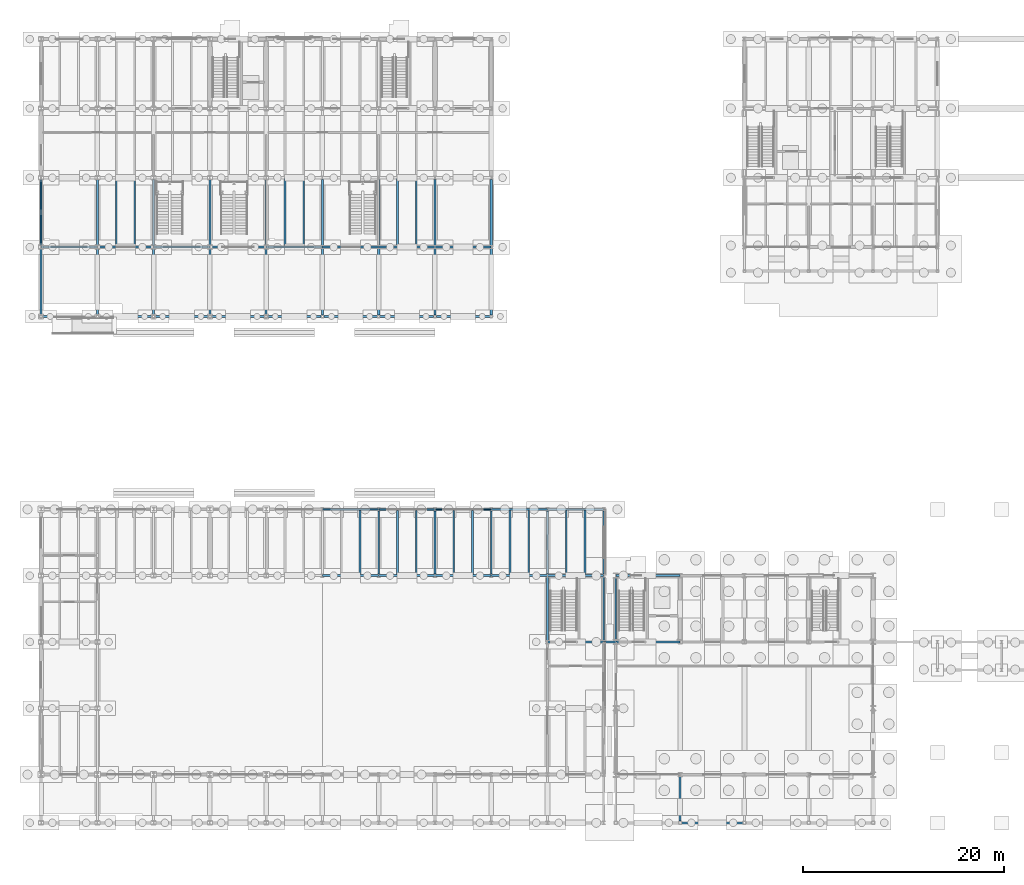
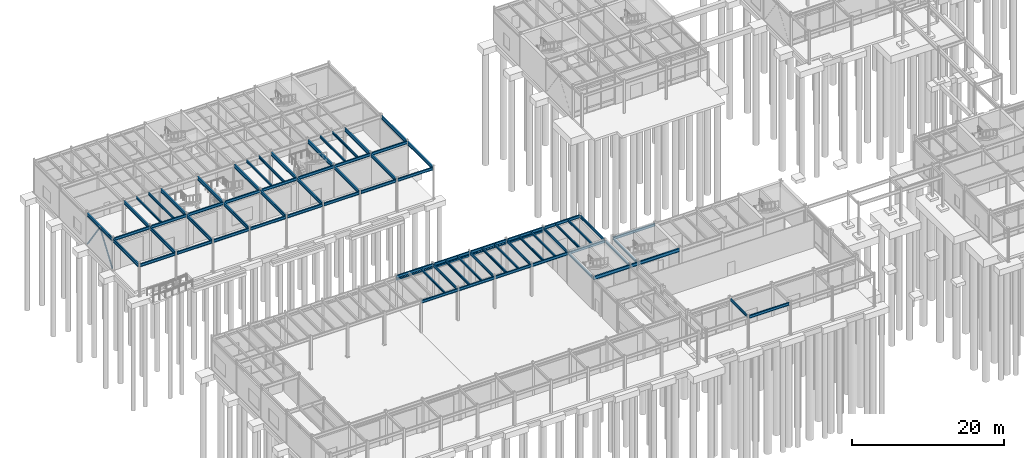
# One storey, part 32 of 82: 77 beams, 2 members.
"""IFC4 building model written with IfcOpenShell, lengths in metres."""

from ifc_helpers import new_model, si_unit, direction, frame, origin, origin_2d, place, context, subcontext, project, spatial, hollow_rectangle, hollow_circle, i_section, extrude, material, material_profile, profile_set, type_object, element, save


model = new_model("IFC4")

# Units and contexts
model_context = context("Model", 3, precision=1e-05, world=origin(), true_north=direction((0.0, 1.0)))
body_context = subcontext(model_context, "Body", "Model", "MODEL_VIEW")
ifc_project = project(units=[si_unit("LENGTHUNIT", "METRE"), si_unit("AREAUNIT", "SQUARE_METRE"), si_unit("VOLUMEUNIT", "CUBIC_METRE"), si_unit("PLANEANGLEUNIT", "RADIAN"), si_unit("MASSUNIT", "GRAM", prefix="KILO")], contexts=[model_context])

# Site, building, storey
site_placement = place(None, origin())
site = spatial("IfcSite", under=ifc_project, at=site_placement, CompositionType="ELEMENT")
building_placement = place(site_placement, origin())
building = spatial("IfcBuilding", under=site, at=building_placement, Name="Trelmorton Wharf Fire Station", CompositionType="ELEMENT")
storey_placement = place(building_placement, origin())
storey = spatial("IfcBuildingStorey", under=building, at=storey_placement, Name="L00", CompositionType="ELEMENT", Elevation=0.0)

# Beams
ifc_material_1 = material(Name="Steel Grade 350", Category="steel")
ifc_material_profile_1 = material_profile(ifc_material_1, i_section(OverallWidth=0.177978515625, OverallDepth=0.406005859375, WebThickness=0.0078125, FlangeThickness=0.0126953125, FilletRadius=0.011474609375, at=origin_2d()), Name="410UB59.7")
ifc_profile_set_1 = profile_set([ifc_material_profile_1], Name="Steel Grade 350")
beam_type_1 = type_object("IfcBeamType", Name="BM_410UB60", PredefinedType="BEAM", material=ifc_profile_set_1)
for number, where, z_axis, x_axis, name in (
    (1, (34.39990234375, 27.75341796875, 4.927001953125), (0.0, 1.0, 0.0), (-1.0, 0.0, 0.0), "BM-L00-0253"),
    (2, (40.0, 27.75341796875, 4.927001953125), (0.0, 1.0, 0.0), (-1.0, 0.0, 0.0), "BM-L00-0259"),
    (3, (45.60009765625, 27.75341796875, 4.927001953125), (0.0, 1.0, 0.0), (-1.0, 0.0, 0.0), "BM-L00-0265"),
):
    element("IfcBeam", number, at=place(storey_placement, frame(where, z_axis=z_axis, x_axis=x_axis)), inside=storey, type_object=beam_type_1, Name=name, PredefinedType="BEAM", context=body_context, shape_type="SweptSolid", body=[
        extrude(i_section(OverallWidth=0.177978515625, OverallDepth=0.406005859375, WebThickness=0.0078125, FlangeThickness=0.0126953125, FilletRadius=0.011474609375, at=origin_2d()), origin(), (0.0, 0.0, 1.0), 6.287109375),
    ])
beam_1_placement = place(storey_placement, frame((51.199951171875, 21.153564453125, 4.927001953125), z_axis=(0.0, 1.0, 0.0), x_axis=(-1.0, 0.0, 0.0)))
element("IfcBeam", 4, at=beam_1_placement, inside=storey, type_object=beam_type_1, Name="BM-L00-0273", PredefinedType="BEAM", context=body_context, shape_type="SweptSolid", body=[
    extrude(i_section(OverallWidth=0.177978515625, OverallDepth=0.406005859375, WebThickness=0.0078125, FlangeThickness=0.0126953125, FilletRadius=0.011474609375, at=origin_2d()), origin(), (0.0, 0.0, 1.0), 6.29296875),
])
beam_2_placement = place(storey_placement, frame((51.199951171875, 27.75341796875, 4.927001953125), z_axis=(0.0, 1.0, 0.0), x_axis=(-1.0, 0.0, 0.0)))
element("IfcBeam", 5, at=beam_2_placement, inside=storey, type_object=beam_type_1, Name="BM-L00-0274", PredefinedType="BEAM", context=body_context, shape_type="SweptSolid", body=[
    extrude(i_section(OverallWidth=0.177978515625, OverallDepth=0.406005859375, WebThickness=0.0078125, FlangeThickness=0.0126953125, FilletRadius=0.011474609375, at=origin_2d()), origin(), (0.0, 0.0, 1.0), 6.287109375),
])
beam_3_placement = place(storey_placement, frame((56.800048828125, 21.153564453125, 4.927001953125), z_axis=(0.0, 1.0, 0.0), x_axis=(-1.0, 0.0, 0.0)))
element("IfcBeam", 6, at=beam_3_placement, inside=storey, type_object=beam_type_1, Name="BM-L00-0278", PredefinedType="BEAM", context=body_context, shape_type="SweptSolid", body=[
    extrude(i_section(OverallWidth=0.177978515625, OverallDepth=0.406005859375, WebThickness=0.0078125, FlangeThickness=0.0126953125, FilletRadius=0.011474609375, at=origin_2d()), origin(), (0.0, 0.0, 1.0), 6.29296875),
])
beam_4_placement = place(storey_placement, frame((56.800048828125, 27.75341796875, 4.927001953125), z_axis=(0.0, 1.0, 0.0), x_axis=(-1.0, 0.0, 0.0)))
element("IfcBeam", 7, at=beam_4_placement, inside=storey, type_object=beam_type_1, Name="BM-L00-0279", PredefinedType="BEAM", context=body_context, shape_type="SweptSolid", body=[
    extrude(i_section(OverallWidth=0.177978515625, OverallDepth=0.406005859375, WebThickness=0.0078125, FlangeThickness=0.0126953125, FilletRadius=0.011474609375, at=origin_2d()), origin(), (0.0, 0.0, 1.0), 6.287109375),
])
beam_5_placement = place(storey_placement, frame((58.0, 21.24609375, 4.927001953125), z_axis=(0.0, 1.0, 0.0), x_axis=(-1.0, 0.0, 0.0)))
element("IfcBeam", 8, at=beam_5_placement, inside=storey, type_object=beam_type_1, Name="BM-L00-0283", PredefinedType="BEAM", context=body_context, shape_type="SweptSolid", body=[
    extrude(i_section(OverallWidth=0.177978515625, OverallDepth=0.406005859375, WebThickness=0.0078125, FlangeThickness=0.0126953125, FilletRadius=0.011474609375, at=origin_2d()), origin(), (0.0, 0.0, 1.0), 6.10791015625),
])
beam_6_placement = place(storey_placement, frame((64.39990234375, 3.157958984375, 4.927001953125), z_axis=(0.0, 1.0, 0.0), x_axis=(-1.0, 0.0, 0.0)))
element("IfcBeam", 9, at=beam_6_placement, inside=storey, type_object=beam_type_1, Name="BM-L00-0284", PredefinedType="BEAM", context=body_context, shape_type="SweptSolid", body=[
    extrude(i_section(OverallWidth=0.177978515625, OverallDepth=0.406005859375, WebThickness=0.0078125, FlangeThickness=0.0126953125, FilletRadius=0.011474609375, at=origin_2d()), origin(), (0.0, 0.0, 1.0), 4.446044921875),
])
ifc_material_profile_2 = material_profile(ifc_material_1, i_section(OverallWidth=0.208984375, OverallDepth=0.532958984375, WebThickness=0.01025390625, FlangeThickness=0.015625, FilletRadius=0.013916015625, at=origin_2d()), Name="530UB92.4")
ifc_profile_set_2 = profile_set([ifc_material_profile_2], Name="Steel Grade 350")
beam_type_2 = type_object("IfcBeamType", Name="BM_530UB92", PredefinedType="BEAM", material=ifc_profile_set_2)
beam_7_placement = place(storey_placement, frame((51.2041015625, 21.0, 4.863525390625), z_axis=(1.0, 0.0, 0.0), x_axis=(0.0, 1.0, 0.0)))
element("IfcBeam", 10, at=beam_7_placement, inside=storey, type_object=beam_type_2, Name="BM-L00-0061", PredefinedType="BEAM", context=body_context, shape_type="SweptSolid", body=[
    extrude(i_section(OverallWidth=0.208984375, OverallDepth=0.532958984375, WebThickness=0.01025390625, FlangeThickness=0.015625, FilletRadius=0.013916015625, at=origin_2d()), origin(), (0.0, 0.0, 1.0), 5.591796875),
])
beam_8_placement = place(storey_placement, frame((56.803955078125, 21.0, 4.863525390625), z_axis=(1.0, 0.0, 0.0), x_axis=(0.0, 1.0, 0.0)))
element("IfcBeam", 11, at=beam_8_placement, inside=storey, type_object=beam_type_2, Name="BM-L00-0062", PredefinedType="BEAM", context=body_context, shape_type="SweptSolid", body=[
    extrude(i_section(OverallWidth=0.208984375, OverallDepth=0.532958984375, WebThickness=0.01025390625, FlangeThickness=0.015625, FilletRadius=0.013916015625, at=origin_2d()), origin(), (0.0, 0.0, 1.0), 1.18798828125),
])
beam_9_placement = place(storey_placement, frame((58.008056640625, 21.0, 4.863525390625), z_axis=(1.0, 0.0, 0.0), x_axis=(0.0, 1.0, 0.0)))
element("IfcBeam", 12, at=beam_9_placement, inside=storey, type_object=beam_type_2, Name="BM-L00-0063", PredefinedType="BEAM", context=body_context, shape_type="SweptSolid", body=[
    extrude(i_section(OverallWidth=0.208984375, OverallDepth=0.532958984375, WebThickness=0.01025390625, FlangeThickness=0.015625, FilletRadius=0.013916015625, at=origin_2d()), origin(), (0.0, 0.0, 1.0), 6.384033203125),
])
beam_10_placement = place(storey_placement, frame((0.800048828125, 53.53271484375, 4.863525390625), z_axis=(0.0, 1.0, 0.0), x_axis=(-1.0, 0.0, 0.0)))
element("IfcBeam", 13, at=beam_10_placement, inside=storey, type_object=beam_type_2, Name="BM-L00-0215", PredefinedType="BEAM", context=body_context, shape_type="SweptSolid", body=[
    extrude(i_section(OverallWidth=0.208984375, OverallDepth=0.532958984375, WebThickness=0.01025390625, FlangeThickness=0.015625, FilletRadius=0.013916015625, at=origin_2d()), origin(), (0.0, 0.0, 1.0), 6.61376953125),
])
beam_11_placement = place(storey_placement, frame((0.800048828125, 60.45361328125, 4.863525390625), z_axis=(0.0, 1.0, 0.0), x_axis=(-1.0, 0.0, 0.0)))
element("IfcBeam", 14, at=beam_11_placement, inside=storey, type_object=beam_type_2, Name="BM-L00-0216", PredefinedType="BEAM", context=body_context, shape_type="SweptSolid", body=[
    extrude(i_section(OverallWidth=0.208984375, OverallDepth=0.532958984375, WebThickness=0.01025390625, FlangeThickness=0.015625, FilletRadius=0.013916015625, at=origin_2d()), origin(), (0.0, 0.0, 1.0), 6.5927734375),
])
beam_12_placement = place(storey_placement, frame((6.39990234375, 53.53271484375, 4.863525390625), z_axis=(0.0, 1.0, 0.0), x_axis=(-1.0, 0.0, 0.0)))
element("IfcBeam", 15, at=beam_12_placement, inside=storey, type_object=beam_type_2, Name="BM-L00-0224", PredefinedType="BEAM", context=body_context, shape_type="SweptSolid", body=[
    extrude(i_section(OverallWidth=0.208984375, OverallDepth=0.532958984375, WebThickness=0.01025390625, FlangeThickness=0.015625, FilletRadius=0.013916015625, at=origin_2d()), origin(), (0.0, 0.0, 1.0), 6.61376953125),
])
beam_13_placement = place(storey_placement, frame((6.39990234375, 60.45361328125, 4.863525390625), z_axis=(0.0, 1.0, 0.0), x_axis=(-1.0, 0.0, 0.0)))
element("IfcBeam", 16, at=beam_13_placement, inside=storey, type_object=beam_type_2, Name="BM-L00-0225", PredefinedType="BEAM", context=body_context, shape_type="SweptSolid", body=[
    extrude(i_section(OverallWidth=0.208984375, OverallDepth=0.532958984375, WebThickness=0.01025390625, FlangeThickness=0.015625, FilletRadius=0.013916015625, at=origin_2d()), origin(), (0.0, 0.0, 1.0), 6.5927734375),
])
beam_14_placement = place(storey_placement, frame((12.0, 53.53271484375, 4.863525390625), z_axis=(0.0, 1.0, 0.0), x_axis=(-1.0, 0.0, 0.0)))
element("IfcBeam", 17, at=beam_14_placement, inside=storey, type_object=beam_type_2, Name="BM-L00-0230", PredefinedType="BEAM", context=body_context, shape_type="SweptSolid", body=[
    extrude(i_section(OverallWidth=0.208984375, OverallDepth=0.532958984375, WebThickness=0.01025390625, FlangeThickness=0.015625, FilletRadius=0.013916015625, at=origin_2d()), origin(), (0.0, 0.0, 1.0), 6.61376953125),
])
beam_15_placement = place(storey_placement, frame((12.0, 60.45361328125, 4.863525390625), z_axis=(0.0, 1.0, 0.0), x_axis=(-1.0, 0.0, 0.0)))
element("IfcBeam", 18, at=beam_15_placement, inside=storey, type_object=beam_type_2, Name="BM-L00-0231", PredefinedType="BEAM", context=body_context, shape_type="SweptSolid", body=[
    extrude(i_section(OverallWidth=0.208984375, OverallDepth=0.532958984375, WebThickness=0.01025390625, FlangeThickness=0.015625, FilletRadius=0.013916015625, at=origin_2d()), origin(), (0.0, 0.0, 1.0), 6.5927734375),
])
beam_16_placement = place(storey_placement, frame((17.60009765625, 53.53271484375, 4.863525390625), z_axis=(0.0, 1.0, 0.0), x_axis=(-1.0, 0.0, 0.0)))
element("IfcBeam", 19, at=beam_16_placement, inside=storey, type_object=beam_type_2, Name="BM-L00-0236", PredefinedType="BEAM", context=body_context, shape_type="SweptSolid", body=[
    extrude(i_section(OverallWidth=0.208984375, OverallDepth=0.532958984375, WebThickness=0.01025390625, FlangeThickness=0.015625, FilletRadius=0.013916015625, at=origin_2d()), origin(), (0.0, 0.0, 1.0), 6.61376953125),
])
beam_17_placement = place(storey_placement, frame((17.60009765625, 60.45361328125, 4.863525390625), z_axis=(0.0, 1.0, 0.0), x_axis=(-1.0, 0.0, 0.0)))
element("IfcBeam", 20, at=beam_17_placement, inside=storey, type_object=beam_type_2, Name="BM-L00-0237", PredefinedType="BEAM", context=body_context, shape_type="SweptSolid", body=[
    extrude(i_section(OverallWidth=0.208984375, OverallDepth=0.532958984375, WebThickness=0.01025390625, FlangeThickness=0.015625, FilletRadius=0.013916015625, at=origin_2d()), origin(), (0.0, 0.0, 1.0), 6.5927734375),
])
beam_18_placement = place(storey_placement, frame((23.199951171875, 53.53271484375, 4.863525390625), z_axis=(0.0, 1.0, 0.0), x_axis=(-1.0, 0.0, 0.0)))
element("IfcBeam", 21, at=beam_18_placement, inside=storey, type_object=beam_type_2, Name="BM-L00-0242", PredefinedType="BEAM", context=body_context, shape_type="SweptSolid", body=[
    extrude(i_section(OverallWidth=0.208984375, OverallDepth=0.532958984375, WebThickness=0.01025390625, FlangeThickness=0.015625, FilletRadius=0.013916015625, at=origin_2d()), origin(), (0.0, 0.0, 1.0), 6.61376953125),
])
beam_19_placement = place(storey_placement, frame((23.199951171875, 60.45361328125, 4.863525390625), z_axis=(0.0, 1.0, 0.0), x_axis=(-1.0, 0.0, 0.0)))
element("IfcBeam", 22, at=beam_19_placement, inside=storey, type_object=beam_type_2, Name="BM-L00-0243", PredefinedType="BEAM", context=body_context, shape_type="SweptSolid", body=[
    extrude(i_section(OverallWidth=0.208984375, OverallDepth=0.532958984375, WebThickness=0.01025390625, FlangeThickness=0.015625, FilletRadius=0.013916015625, at=origin_2d()), origin(), (0.0, 0.0, 1.0), 6.5927734375),
])
beam_20_placement = place(storey_placement, frame((28.800048828125, 53.53271484375, 4.863525390625), z_axis=(0.0, 1.0, 0.0), x_axis=(-1.0, 0.0, 0.0)))
element("IfcBeam", 23, at=beam_20_placement, inside=storey, type_object=beam_type_2, Name="BM-L00-0248", PredefinedType="BEAM", context=body_context, shape_type="SweptSolid", body=[
    extrude(i_section(OverallWidth=0.208984375, OverallDepth=0.532958984375, WebThickness=0.01025390625, FlangeThickness=0.015625, FilletRadius=0.013916015625, at=origin_2d()), origin(), (0.0, 0.0, 1.0), 6.61376953125),
])
beam_21_placement = place(storey_placement, frame((28.800048828125, 60.45361328125, 4.863525390625), z_axis=(0.0, 1.0, 0.0), x_axis=(-1.0, 0.0, 0.0)))
element("IfcBeam", 24, at=beam_21_placement, inside=storey, type_object=beam_type_2, Name="BM-L00-0249", PredefinedType="BEAM", context=body_context, shape_type="SweptSolid", body=[
    extrude(i_section(OverallWidth=0.208984375, OverallDepth=0.532958984375, WebThickness=0.01025390625, FlangeThickness=0.015625, FilletRadius=0.013916015625, at=origin_2d()), origin(), (0.0, 0.0, 1.0), 6.5927734375),
])
beam_22_placement = place(storey_placement, frame((34.39990234375, 53.53271484375, 4.863525390625), z_axis=(0.0, 1.0, 0.0), x_axis=(-1.0, 0.0, 0.0)))
element("IfcBeam", 25, at=beam_22_placement, inside=storey, type_object=beam_type_2, Name="BM-L00-0254", PredefinedType="BEAM", context=body_context, shape_type="SweptSolid", body=[
    extrude(i_section(OverallWidth=0.208984375, OverallDepth=0.532958984375, WebThickness=0.01025390625, FlangeThickness=0.015625, FilletRadius=0.013916015625, at=origin_2d()), origin(), (0.0, 0.0, 1.0), 6.61376953125),
])
beam_23_placement = place(storey_placement, frame((34.39990234375, 60.45361328125, 4.863525390625), z_axis=(0.0, 1.0, 0.0), x_axis=(-1.0, 0.0, 0.0)))
element("IfcBeam", 26, at=beam_23_placement, inside=storey, type_object=beam_type_2, Name="BM-L00-0255", PredefinedType="BEAM", context=body_context, shape_type="SweptSolid", body=[
    extrude(i_section(OverallWidth=0.208984375, OverallDepth=0.532958984375, WebThickness=0.01025390625, FlangeThickness=0.015625, FilletRadius=0.013916015625, at=origin_2d()), origin(), (0.0, 0.0, 1.0), 6.5927734375),
])
beam_24_placement = place(storey_placement, frame((40.0, 53.53271484375, 4.863525390625), z_axis=(0.0, 1.0, 0.0), x_axis=(-1.0, 0.0, 0.0)))
element("IfcBeam", 27, at=beam_24_placement, inside=storey, type_object=beam_type_2, Name="BM-L00-0260", PredefinedType="BEAM", context=body_context, shape_type="SweptSolid", body=[
    extrude(i_section(OverallWidth=0.208984375, OverallDepth=0.532958984375, WebThickness=0.01025390625, FlangeThickness=0.015625, FilletRadius=0.013916015625, at=origin_2d()), origin(), (0.0, 0.0, 1.0), 6.61376953125),
])
beam_25_placement = place(storey_placement, frame((40.0, 60.45361328125, 4.863525390625), z_axis=(0.0, 1.0, 0.0), x_axis=(-1.0, 0.0, 0.0)))
element("IfcBeam", 28, at=beam_25_placement, inside=storey, type_object=beam_type_2, Name="BM-L00-0261", PredefinedType="BEAM", context=body_context, shape_type="SweptSolid", body=[
    extrude(i_section(OverallWidth=0.208984375, OverallDepth=0.532958984375, WebThickness=0.01025390625, FlangeThickness=0.015625, FilletRadius=0.013916015625, at=origin_2d()), origin(), (0.0, 0.0, 1.0), 6.5927734375),
])
beam_26_placement = place(storey_placement, frame((45.60009765625, 53.53271484375, 4.863525390625), z_axis=(0.0, 1.0, 0.0), x_axis=(-1.0, 0.0, 0.0)))
element("IfcBeam", 29, at=beam_26_placement, inside=storey, type_object=beam_type_2, Name="BM-L00-0266", PredefinedType="BEAM", context=body_context, shape_type="SweptSolid", body=[
    extrude(i_section(OverallWidth=0.208984375, OverallDepth=0.532958984375, WebThickness=0.01025390625, FlangeThickness=0.015625, FilletRadius=0.013916015625, at=origin_2d()), origin(), (0.0, 0.0, 1.0), 6.61376953125),
])
beam_27_placement = place(storey_placement, frame((45.60009765625, 60.45361328125, 4.863525390625), z_axis=(0.0, 1.0, 0.0), x_axis=(-1.0, 0.0, 0.0)))
element("IfcBeam", 30, at=beam_27_placement, inside=storey, type_object=beam_type_2, Name="BM-L00-0267", PredefinedType="BEAM", context=body_context, shape_type="SweptSolid", body=[
    extrude(i_section(OverallWidth=0.208984375, OverallDepth=0.532958984375, WebThickness=0.01025390625, FlangeThickness=0.015625, FilletRadius=0.013916015625, at=origin_2d()), origin(), (0.0, 0.0, 1.0), 6.5927734375),
])
ifc_material_2 = material(Name="Signal-red architectural steel Grade 350", Category="steel")
ifc_material_profile_3 = material_profile(ifc_material_2, i_section(OverallWidth=0.19091796875, OverallDepth=0.4599609375, WebThickness=0.010009765625, FlangeThickness=0.01611328125, FilletRadius=0.011474609375, at=origin_2d()), Name="460UB82.1")
ifc_profile_set_3 = profile_set([ifc_material_profile_3], Name="Signal-red architectural steel Grade 350")
beam_type_3 = type_object("IfcBeamType", Name="BM_RED_460UB82", PredefinedType="BEAM", material=ifc_profile_set_3)
beam_28_placement = place(storey_placement, frame((64.55810546875, 3.0, 4.89990234375), z_axis=(1.0, 0.0, 0.0), x_axis=(0.0, 1.0, 0.0)))
element("IfcBeam", 31, at=beam_28_placement, inside=storey, type_object=beam_type_3, Name="BM-L00-0012", PredefinedType="BEAM", context=body_context, shape_type="SweptSolid", body=[
    extrude(i_section(OverallWidth=0.19091796875, OverallDepth=0.4599609375, WebThickness=0.010009765625, FlangeThickness=0.01611328125, FilletRadius=0.011474609375, at=origin_2d()), origin(), (0.0, 0.0, 1.0), 6.083984375),
])

# Members
ifc_material_3 = material(Name="Steel C350L0 (350 MPa)", Category="steel")
ifc_material_profile_4 = material_profile(ifc_material_3, hollow_circle(Radius=0.109619140625, WallThickness=0.00830078125, at=origin_2d()), Name="219.1x8.2CHS")
ifc_profile_set_4 = profile_set([ifc_material_profile_4], Name="Steel C350L0 (350 MPa)")
member_type = type_object("IfcMemberType", Name="BR_219CHS", PredefinedType="BRACE", material=ifc_profile_set_4)
for number, where, z_axis, x_axis, name in (
    (32, (0.800048828125, 60.45458984375, 0.1201171875), (0.0, 0.577391700443, 0.816467283031), (-1.0, 0.0, 0.0), "CBF-V6-W-L00-A"),
    (33, (0.800048828125, 67.04541015625, 0.1201171875), (0.0, -0.577391700443, 0.816467283031), (1.0, 0.0, 0.0), "CBF-V6-W-L00-B"),
):
    element("IfcMember", number, at=place(storey_placement, frame(where, z_axis=z_axis, x_axis=x_axis)), inside=storey, type_object=member_type, Name=name, PredefinedType="BRACE", context=body_context, shape_type="SweptSolid", body=[
        extrude(hollow_circle(Radius=0.109619140625, WallThickness=0.00830078125, at=origin_2d()), origin(), (0.0, 0.0, 1.0), 5.70751953125),
    ])

# Beams
ifc_material_profile_5 = material_profile(ifc_material_1, i_section(OverallWidth=0.172119140625, OverallDepth=0.35888671875, WebThickness=0.008056640625, FlangeThickness=0.012939453125, FilletRadius=0.011474609375, at=origin_2d()), Name="360UB56.7")
ifc_profile_set_5 = profile_set([ifc_material_profile_5], Name="Steel Grade 350")
beam_type_4 = type_object("IfcBeamType", Name="JS_360UB57", PredefinedType="JOIST", material=ifc_profile_set_5)
for number, where, z_axis, x_axis, name in (
    (34, (8.2666015625, 60.389892578125, 4.950439453125), (0.0, 1.0, 0.0), (-1.0, 0.0, 0.0), "JS-L00-0011"),
    (35, (10.13330078125, 60.389892578125, 4.950439453125), (0.0, 1.0, 0.0), (-1.0, 0.0, 0.0), "JS-L00-0012"),
    (36, (25.066650390625, 60.389892578125, 4.950439453125), (0.0, 1.0, 0.0), (-1.0, 0.0, 0.0), "JS-L00-0029"),
    (37, (26.933349609375, 60.389892578125, 4.950439453125), (0.0, 1.0, 0.0), (-1.0, 0.0, 0.0), "JS-L00-0030"),
):
    element("IfcBeam", number, at=place(storey_placement, frame(where, z_axis=z_axis, x_axis=x_axis)), inside=storey, type_object=beam_type_4, Name=name, PredefinedType="JOIST", context=body_context, shape_type="SweptSolid", body=[
        extrude(i_section(OverallWidth=0.172119140625, OverallDepth=0.35888671875, WebThickness=0.008056640625, FlangeThickness=0.012939453125, FilletRadius=0.011474609375, at=origin_2d()), origin(), (0.0, 0.0, 1.0), 6.72021484375),
    ])
for number, where, z_axis, x_axis, name in (
    (38, (32.533203125, 27.68994140625, 4.950439453125), (0.0, 1.0, 0.0), (-1.0, 0.0, 0.0), "JS-L00-0036"),
    (39, (36.2666015625, 27.68994140625, 4.950439453125), (0.0, 1.0, 0.0), (-1.0, 0.0, 0.0), "JS-L00-0041"),
    (40, (38.13330078125, 27.68994140625, 4.950439453125), (0.0, 1.0, 0.0), (-1.0, 0.0, 0.0), "JS-L00-0042"),
):
    element("IfcBeam", number, at=place(storey_placement, frame(where, z_axis=z_axis, x_axis=x_axis)), inside=storey, type_object=beam_type_4, Name=name, PredefinedType="JOIST", context=body_context, shape_type="SweptSolid", body=[
        extrude(i_section(OverallWidth=0.172119140625, OverallDepth=0.35888671875, WebThickness=0.008056640625, FlangeThickness=0.012939453125, FilletRadius=0.011474609375, at=origin_2d()), origin(), (0.0, 0.0, 1.0), 6.420166015625),
    ])
for number, where, z_axis, x_axis, name in (
    (41, (36.2666015625, 60.389892578125, 4.950439453125), (0.0, 1.0, 0.0), (-1.0, 0.0, 0.0), "JS-L00-0043"),
    (42, (38.13330078125, 60.389892578125, 4.950439453125), (0.0, 1.0, 0.0), (-1.0, 0.0, 0.0), "JS-L00-0044"),
):
    element("IfcBeam", number, at=place(storey_placement, frame(where, z_axis=z_axis, x_axis=x_axis)), inside=storey, type_object=beam_type_4, Name=name, PredefinedType="JOIST", context=body_context, shape_type="SweptSolid", body=[
        extrude(i_section(OverallWidth=0.172119140625, OverallDepth=0.35888671875, WebThickness=0.008056640625, FlangeThickness=0.012939453125, FilletRadius=0.011474609375, at=origin_2d()), origin(), (0.0, 0.0, 1.0), 6.72021484375),
    ])
for number, where, z_axis, x_axis, name in (
    (43, (41.86669921875, 27.68994140625, 4.950439453125), (0.0, 1.0, 0.0), (-1.0, 0.0, 0.0), "JS-L00-0047"),
    (44, (43.7333984375, 27.68994140625, 4.950439453125), (0.0, 1.0, 0.0), (-1.0, 0.0, 0.0), "JS-L00-0048"),
    (45, (47.466796875, 27.68994140625, 4.950439453125), (0.0, 1.0, 0.0), (-1.0, 0.0, 0.0), "JS-L00-0049"),
    (46, (49.333251953125, 27.68994140625, 4.950439453125), (0.0, 1.0, 0.0), (-1.0, 0.0, 0.0), "JS-L00-0050"),
    (47, (53.066650390625, 27.68994140625, 4.950439453125), (0.0, 1.0, 0.0), (-1.0, 0.0, 0.0), "JS-L00-0053"),
    (48, (54.933349609375, 27.68994140625, 4.950439453125), (0.0, 1.0, 0.0), (-1.0, 0.0, 0.0), "JS-L00-0054"),
):
    element("IfcBeam", number, at=place(storey_placement, frame(where, z_axis=z_axis, x_axis=x_axis)), inside=storey, type_object=beam_type_4, Name=name, PredefinedType="JOIST", context=body_context, shape_type="SweptSolid", body=[
        extrude(i_section(OverallWidth=0.172119140625, OverallDepth=0.35888671875, WebThickness=0.008056640625, FlangeThickness=0.012939453125, FilletRadius=0.011474609375, at=origin_2d()), origin(), (0.0, 0.0, 1.0), 6.420166015625),
    ])
ifc_material_profile_6 = material_profile(ifc_material_3, hollow_rectangle(XDim=0.10009765625, YDim=0.199951171875, WallThickness=0.006103515625, at=origin_2d()), Name="200x100x6.0RHS")
ifc_profile_set_6 = profile_set([ifc_material_profile_6], Name="Steel C350L0 (350 MPa)")
beam_type_5 = type_object("IfcBeamType", Name="LN_200RHS", PredefinedType="LINTEL", material=ifc_profile_set_6)
for number, where, z_axis, x_axis, name in (
    (49, (28.805908203125, 34.199951171875, 4.43994140625), (1.0, 0.0, 0.0), (0.0, 1.0, 0.0), "BM-LN-AB-N-05"),
    (50, (40.005859375, 34.199951171875, 4.43994140625), (1.0, 0.0, 0.0), (0.0, 1.0, 0.0), "BM-LN-AB-N-07"),
):
    element("IfcBeam", number, at=place(storey_placement, frame(where, z_axis=z_axis, x_axis=x_axis)), inside=storey, type_object=beam_type_5, Name=name, PredefinedType="LINTEL", context=body_context, shape_type="SweptSolid", body=[
        extrude(hollow_rectangle(XDim=0.10009765625, YDim=0.199951171875, WallThickness=0.006103515625, at=origin_2d()), origin(), (0.0, 0.0, 1.0), 5.588134765625),
    ])
ifc_material_profile_7 = material_profile(ifc_material_3, hollow_rectangle(XDim=0.14990234375, YDim=0.25, WallThickness=0.009033203125, at=origin_2d()), Name="250x150x9.0RHS")
ifc_profile_set_7 = profile_set([ifc_material_profile_7], Name="Steel C350L0 (350 MPa)")
beam_type_6 = type_object("IfcBeamType", Name="LN_250RHS", PredefinedType="LINTEL", material=ifc_profile_set_7)
for number, where, z_axis, x_axis, name in (
    (51, (34.406005859375, 34.199951171875, 4.43994140625), (1.0, 0.0, 0.0), (0.0, 1.0, 0.0), "BM-LN-AB-N-06"),
    (52, (45.60595703125, 34.199951171875, 4.43994140625), (1.0, 0.0, 0.0), (0.0, 1.0, 0.0), "BM-LN-AB-N-08"),
):
    element("IfcBeam", number, at=place(storey_placement, frame(where, z_axis=z_axis, x_axis=x_axis)), inside=storey, type_object=beam_type_6, Name=name, PredefinedType="LINTEL", context=body_context, shape_type="SweptSolid", body=[
        extrude(hollow_rectangle(XDim=0.14990234375, YDim=0.25, WallThickness=0.009033203125, at=origin_2d()), origin(), (0.0, 0.0, 1.0), 5.588134765625),
    ])
ifc_material_profile_8 = material_profile(ifc_material_1, i_section(OverallWidth=0.18994140625, OverallDepth=0.45703125, WebThickness=0.009033203125, FlangeThickness=0.014404296875, FilletRadius=0.011474609375, at=origin_2d()), Name="460UB74.6")
ifc_profile_set_8 = profile_set([ifc_material_profile_8], Name="Steel Grade 350")
beam_type_7 = type_object("IfcBeamType", Name="SP_460UB75", PredefinedType="SPANDREL", material=ifc_profile_set_8)
for number, where, z_axis, x_axis, name in (
    (53, (28.803955078125, 27.60009765625, 4.901611328125), (1.0, 0.0, 0.0), (0.0, 1.0, 0.0), "BM-L00-0085"),
    (54, (34.404052734375, 27.60009765625, 4.901611328125), (1.0, 0.0, 0.0), (0.0, 1.0, 0.0), "BM-L00-0086"),
    (55, (40.00390625, 27.60009765625, 4.901611328125), (1.0, 0.0, 0.0), (0.0, 1.0, 0.0), "BM-L00-0087"),
    (56, (45.60400390625, 27.60009765625, 4.901611328125), (1.0, 0.0, 0.0), (0.0, 1.0, 0.0), "BM-L00-0088"),
):
    element("IfcBeam", number, at=place(storey_placement, frame(where, z_axis=z_axis, x_axis=x_axis)), inside=storey, type_object=beam_type_7, Name=name, PredefinedType="SPANDREL", context=body_context, shape_type="SweptSolid", body=[
        extrude(i_section(OverallWidth=0.18994140625, OverallDepth=0.45703125, WebThickness=0.009033203125, FlangeThickness=0.014404296875, FilletRadius=0.011474609375, at=origin_2d()), origin(), (0.0, 0.0, 1.0), 5.592041015625),
    ])
beam_29_placement = place(storey_placement, frame((51.2041015625, 27.60009765625, 4.901611328125), z_axis=(1.0, 0.0, 0.0), x_axis=(0.0, 1.0, 0.0)))
element("IfcBeam", 57, at=beam_29_placement, inside=storey, type_object=beam_type_7, Name="BM-L00-0089", PredefinedType="SPANDREL", context=body_context, shape_type="SweptSolid", body=[
    extrude(i_section(OverallWidth=0.18994140625, OverallDepth=0.45703125, WebThickness=0.009033203125, FlangeThickness=0.014404296875, FilletRadius=0.011474609375, at=origin_2d()), origin(), (0.0, 0.0, 1.0), 5.591796875),
])
beam_30_placement = place(storey_placement, frame((58.008056640625, 27.60009765625, 4.901611328125), z_axis=(1.0, 0.0, 0.0), x_axis=(0.0, 1.0, 0.0)))
element("IfcBeam", 58, at=beam_30_placement, inside=storey, type_object=beam_type_7, Name="BM-L00-0090", PredefinedType="SPANDREL", context=body_context, shape_type="SweptSolid", body=[
    extrude(i_section(OverallWidth=0.18994140625, OverallDepth=0.45703125, WebThickness=0.009033203125, FlangeThickness=0.014404296875, FilletRadius=0.011474609375, at=origin_2d()), origin(), (0.0, 0.0, 1.0), 6.384033203125),
])
for number, where, z_axis, x_axis, name in (
    (59, (28.805908203125, 34.199951171875, 4.901611328125), (1.0, 0.0, 0.0), (0.0, 1.0, 0.0), "BM-L00-0108"),
    (60, (34.406005859375, 34.199951171875, 4.901611328125), (1.0, 0.0, 0.0), (0.0, 1.0, 0.0), "BM-L00-0109"),
    (61, (40.005859375, 34.199951171875, 4.901611328125), (1.0, 0.0, 0.0), (0.0, 1.0, 0.0), "BM-L00-0110"),
    (62, (45.60595703125, 34.199951171875, 4.901611328125), (1.0, 0.0, 0.0), (0.0, 1.0, 0.0), "BM-L00-0111"),
):
    element("IfcBeam", number, at=place(storey_placement, frame(where, z_axis=z_axis, x_axis=x_axis)), inside=storey, type_object=beam_type_7, Name=name, PredefinedType="SPANDREL", context=body_context, shape_type="SweptSolid", body=[
        extrude(i_section(OverallWidth=0.18994140625, OverallDepth=0.45703125, WebThickness=0.009033203125, FlangeThickness=0.014404296875, FilletRadius=0.011474609375, at=origin_2d()), origin(), (0.0, 0.0, 1.0), 5.588134765625),
    ])
beam_31_placement = place(storey_placement, frame((51.205810546875, 34.199951171875, 4.901611328125), z_axis=(1.0, 0.0, 0.0), x_axis=(0.0, 1.0, 0.0)))
element("IfcBeam", 63, at=beam_31_placement, inside=storey, type_object=beam_type_7, Name="BM-L00-0112", PredefinedType="SPANDREL", context=body_context, shape_type="SweptSolid", body=[
    extrude(i_section(OverallWidth=0.18994140625, OverallDepth=0.45703125, WebThickness=0.009033203125, FlangeThickness=0.014404296875, FilletRadius=0.011474609375, at=origin_2d()), origin(), (0.0, 0.0, 1.0), 5.58837890625),
])
beam_32_placement = place(storey_placement, frame((0.9326171875, 53.39990234375, 4.901611328125), z_axis=(1.0, 0.0, 0.0), x_axis=(0.0, 1.0, 0.0)))
element("IfcBeam", 64, at=beam_32_placement, inside=storey, type_object=beam_type_7, Name="BM-L00-0115", PredefinedType="SPANDREL", context=body_context, shape_type="SweptSolid", body=[
    extrude(i_section(OverallWidth=0.18994140625, OverallDepth=0.45703125, WebThickness=0.009033203125, FlangeThickness=0.014404296875, FilletRadius=0.011474609375, at=origin_2d()), origin(), (0.0, 0.0, 1.0), 5.3349609375),
])
beam_33_placement = place(storey_placement, frame((6.53271484375, 53.39990234375, 4.901611328125), z_axis=(1.0, 0.0, 0.0), x_axis=(0.0, 1.0, 0.0)))
element("IfcBeam", 65, at=beam_33_placement, inside=storey, type_object=beam_type_7, Name="BM-L00-0116", PredefinedType="SPANDREL", context=body_context, shape_type="SweptSolid", body=[
    extrude(i_section(OverallWidth=0.18994140625, OverallDepth=0.45703125, WebThickness=0.009033203125, FlangeThickness=0.014404296875, FilletRadius=0.011474609375, at=origin_2d()), origin(), (0.0, 0.0, 1.0), 5.334716796875),
])
for number, where, z_axis, x_axis, name in (
    (66, (12.132568359375, 53.39990234375, 4.901611328125), (1.0, 0.0, 0.0), (0.0, 1.0, 0.0), "BM-L00-0117"),
    (67, (17.732421875, 53.39990234375, 4.901611328125), (1.0, 0.0, 0.0), (0.0, 1.0, 0.0), "BM-L00-0118"),
    (68, (23.33251953125, 53.39990234375, 4.901611328125), (1.0, 0.0, 0.0), (0.0, 1.0, 0.0), "BM-L00-0119"),
):
    element("IfcBeam", number, at=place(storey_placement, frame(where, z_axis=z_axis, x_axis=x_axis)), inside=storey, type_object=beam_type_7, Name=name, PredefinedType="SPANDREL", context=body_context, shape_type="SweptSolid", body=[
        extrude(i_section(OverallWidth=0.18994140625, OverallDepth=0.45703125, WebThickness=0.009033203125, FlangeThickness=0.014404296875, FilletRadius=0.011474609375, at=origin_2d()), origin(), (0.0, 0.0, 1.0), 5.3349609375),
    ])
for number, where, z_axis, x_axis, name in (
    (69, (28.9326171875, 53.39990234375, 4.901611328125), (1.0, 0.0, 0.0), (0.0, 1.0, 0.0), "BM-L00-0120"),
    (70, (34.53271484375, 53.39990234375, 4.901611328125), (1.0, 0.0, 0.0), (0.0, 1.0, 0.0), "BM-L00-0121"),
    (71, (40.132568359375, 53.39990234375, 4.901611328125), (1.0, 0.0, 0.0), (0.0, 1.0, 0.0), "BM-L00-0122"),
):
    element("IfcBeam", number, at=place(storey_placement, frame(where, z_axis=z_axis, x_axis=x_axis)), inside=storey, type_object=beam_type_7, Name=name, PredefinedType="SPANDREL", context=body_context, shape_type="SweptSolid", body=[
        extrude(i_section(OverallWidth=0.18994140625, OverallDepth=0.45703125, WebThickness=0.009033203125, FlangeThickness=0.014404296875, FilletRadius=0.011474609375, at=origin_2d()), origin(), (0.0, 0.0, 1.0), 5.334716796875),
    ])
for number, where, z_axis, x_axis, name in (
    (72, (0.803955078125, 60.300048828125, 4.901611328125), (1.0, 0.0, 0.0), (0.0, 1.0, 0.0), "BM-L00-0130"),
    (73, (6.404052734375, 60.300048828125, 4.901611328125), (1.0, 0.0, 0.0), (0.0, 1.0, 0.0), "BM-L00-0131"),
    (74, (12.00390625, 60.300048828125, 4.901611328125), (1.0, 0.0, 0.0), (0.0, 1.0, 0.0), "BM-L00-0132"),
    (75, (17.60400390625, 60.300048828125, 4.901611328125), (1.0, 0.0, 0.0), (0.0, 1.0, 0.0), "BM-L00-0133"),
):
    element("IfcBeam", number, at=place(storey_placement, frame(where, z_axis=z_axis, x_axis=x_axis)), inside=storey, type_object=beam_type_7, Name=name, PredefinedType="SPANDREL", context=body_context, shape_type="SweptSolid", body=[
        extrude(i_section(OverallWidth=0.18994140625, OverallDepth=0.45703125, WebThickness=0.009033203125, FlangeThickness=0.014404296875, FilletRadius=0.011474609375, at=origin_2d()), origin(), (0.0, 0.0, 1.0), 5.592041015625),
    ])
beam_34_placement = place(storey_placement, frame((23.2041015625, 60.300048828125, 4.901611328125), z_axis=(1.0, 0.0, 0.0), x_axis=(0.0, 1.0, 0.0)))
element("IfcBeam", 76, at=beam_34_placement, inside=storey, type_object=beam_type_7, Name="BM-L00-0134", PredefinedType="SPANDREL", context=body_context, shape_type="SweptSolid", body=[
    extrude(i_section(OverallWidth=0.18994140625, OverallDepth=0.45703125, WebThickness=0.009033203125, FlangeThickness=0.014404296875, FilletRadius=0.011474609375, at=origin_2d()), origin(), (0.0, 0.0, 1.0), 5.591796875),
])
for number, where, z_axis, x_axis, name in (
    (77, (28.803955078125, 60.300048828125, 4.901611328125), (1.0, 0.0, 0.0), (0.0, 1.0, 0.0), "BM-L00-0135"),
    (78, (34.404052734375, 60.300048828125, 4.901611328125), (1.0, 0.0, 0.0), (0.0, 1.0, 0.0), "BM-L00-0136"),
    (79, (40.00390625, 60.300048828125, 4.901611328125), (1.0, 0.0, 0.0), (0.0, 1.0, 0.0), "BM-L00-0137"),
):
    element("IfcBeam", number, at=place(storey_placement, frame(where, z_axis=z_axis, x_axis=x_axis)), inside=storey, type_object=beam_type_7, Name=name, PredefinedType="SPANDREL", context=body_context, shape_type="SweptSolid", body=[
        extrude(i_section(OverallWidth=0.18994140625, OverallDepth=0.45703125, WebThickness=0.009033203125, FlangeThickness=0.014404296875, FilletRadius=0.011474609375, at=origin_2d()), origin(), (0.0, 0.0, 1.0), 5.592041015625),
    ])

save(model, "model.ifc")
